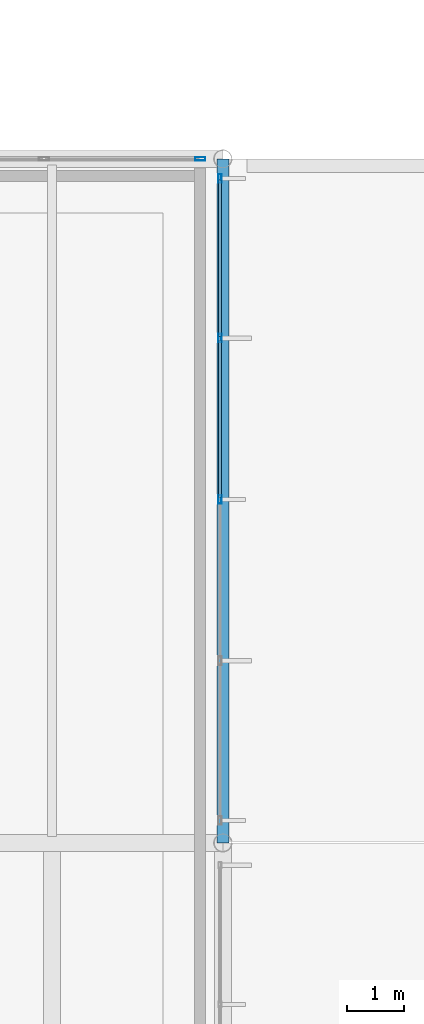
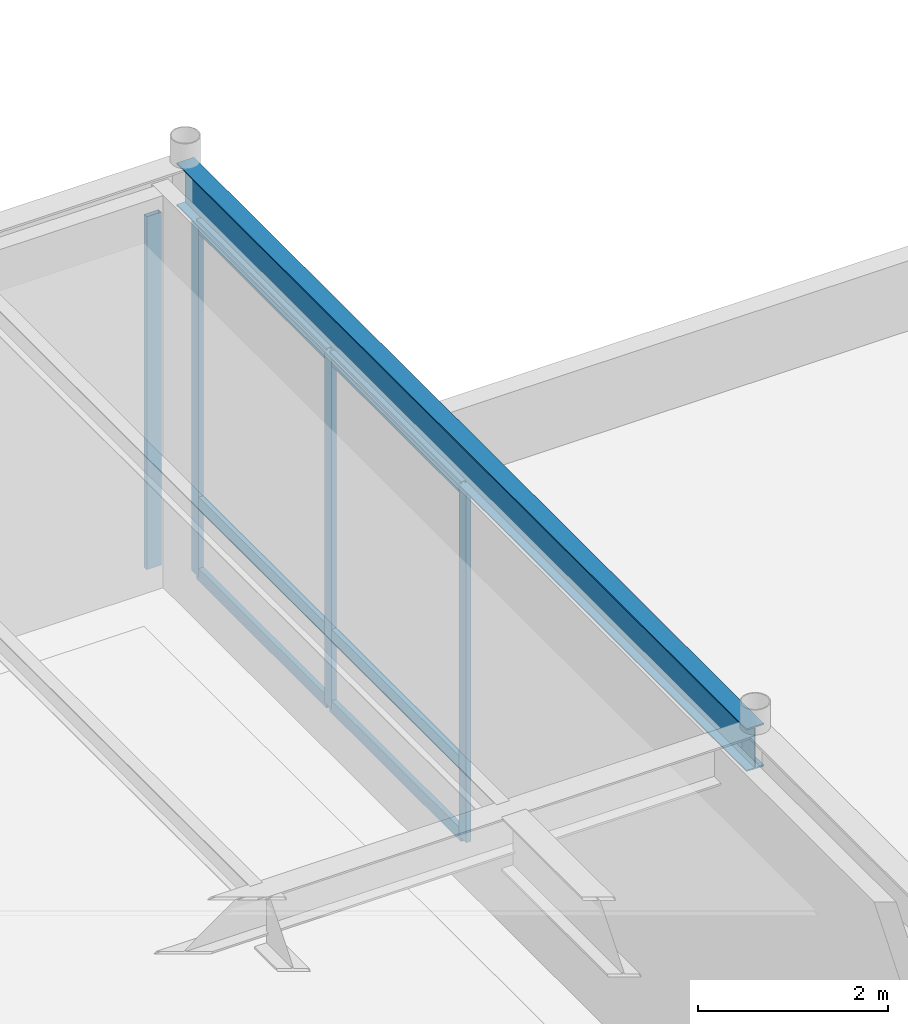
# One storey, part 89 of 143: 10 members, 1 beam, 2 elements without a shape of their own.
"""IFC4 building model written with IfcOpenShell, lengths in metres."""

from ifc_helpers import new_model, si_unit, direction, frame, origin, origin_2d, place, context, subcontext, project, spatial, hollow_rectangle, i_section, extrude, material, layer, layer_set, material_profile, profile_set, type_object, element, aggregate, save


model = new_model("IFC4")

# Units and contexts
model_context = context("Model", 3, precision=1e-05, world=origin(), true_north=direction((0.0, 1.0)))
body_context = subcontext(model_context, "Body", "Model", "MODEL_VIEW")
ifc_project = project(units=[si_unit("LENGTHUNIT", "METRE"), si_unit("AREAUNIT", "SQUARE_METRE"), si_unit("VOLUMEUNIT", "CUBIC_METRE"), si_unit("PLANEANGLEUNIT", "RADIAN"), si_unit("MASSUNIT", "GRAM", prefix="KILO")], contexts=[model_context])

# Site, building, storey
site_placement = place(None, origin())
site = spatial("IfcSite", under=ifc_project, at=site_placement, CompositionType="ELEMENT")
building_placement = place(site_placement, origin())
building = spatial("IfcBuilding", under=site, at=building_placement, Name="Montelvaro Courts of Justice", CompositionType="ELEMENT")
storey_placement = place(building_placement, origin())
storey = spatial("IfcBuildingStorey", under=building, at=storey_placement, Name="L00", CompositionType="ELEMENT", Elevation=0.0)

# Beam
ifc_material_1 = material(Name="Steel S355", Category="steel")
ifc_material_profile_1 = material_profile(ifc_material_1, i_section(OverallWidth=0.2099609375, OverallDepth=0.550048828125, WebThickness=0.010986328125, FlangeThickness=0.01708984375, at=origin_2d()), Name="IPE 550")
ifc_profile_set_1 = profile_set([ifc_material_profile_1], Name="Steel S355")
beam_type = type_object("IfcBeamType", Name="Beam_IPE550", PredefinedType="BEAM", material=ifc_profile_set_1)
beam_placement = place(storey_placement, frame((81.0, 96.0, 4.804931640625), z_axis=(0.0, 1.0, 0.0), x_axis=(-1.0, 0.0, 0.0)))
element("IfcBeam", 1, at=beam_placement, inside=storey, type_object=beam_type, Name="Beam B-11 L00", PredefinedType="BEAM", context=body_context, shape_type="SweptSolid", body=[
    extrude(i_section(OverallWidth=0.2099609375, OverallDepth=0.550048828125, WebThickness=0.010986328125, FlangeThickness=0.01708984375, at=origin_2d()), origin(), (0.0, 0.0, 1.0), 12.0),
])

# Curtain wall, members
ifc_material_2 = material(Name="Anodised aluminium EN AW-6063", Category="aluminium")
ifc_layer_1 = layer(ifc_material_2, 0.159912109375)
ifc_layer_set_1 = layer_set([ifc_layer_1], Name="Anodised aluminium EN AW-6063")
curtain_wall_type_1 = type_object("IfcCurtainWallType", Name="CurtainWall_03_1132x508", PredefinedType="USERDEFINED", material=ifc_layer_set_1)
curtain_wall_1_placement = place(storey_placement, origin())
curtain_wall_1 = element("IfcCurtainWall", 2, at=curtain_wall_1_placement, inside=storey, type_object=curtain_wall_type_1, Name="Curtain Wall CW-03 (L00)", ObjectType="CURTAIN WALL", PredefinedType="USERDEFINED")
ifc_material_profile_2 = material_profile(ifc_material_2, hollow_rectangle(XDim=0.06005859375, YDim=0.14990234375, WallThickness=0.00390625, at=origin_2d()), Name="ALU-M 60x150")
ifc_profile_set_2 = profile_set([ifc_material_profile_2], Name="Anodised aluminium EN AW-6063")
member_type_1 = type_object("IfcMemberType", Name="CurtainWall_Mullion_60x150", PredefinedType="MULLION", material=ifc_profile_set_2)
member_1_placement = place(storey_placement, frame((80.949951171875, 102.02490234375, 0.0), z_axis=(0.0, 0.0, 1.0), x_axis=(-1.0, 0.0, 0.0)))
member_1 = element("IfcMember", 3, at=member_1_placement, type_object=member_type_1, Name="CW-03 mullion 3", PredefinedType="MULLION", context=body_context, shape_type="SweptSolid", body=[
    extrude(hollow_rectangle(XDim=0.06005859375, YDim=0.14990234375, WallThickness=0.00390625, at=origin_2d()), origin(), (0.0, 0.0, 1.0), 4.52490234375),
])
member_2_placement = place(storey_placement, frame((80.949951171875, 104.85498046875, 0.0), z_axis=(0.0, 0.0, 1.0), x_axis=(-1.0, 0.0, 0.0)))
member_2 = element("IfcMember", 4, at=member_2_placement, type_object=member_type_1, Name="CW-03 mullion 4", PredefinedType="MULLION", context=body_context, shape_type="SweptSolid", body=[
    extrude(hollow_rectangle(XDim=0.06005859375, YDim=0.14990234375, WallThickness=0.00390625, at=origin_2d()), origin(), (0.0, 0.0, 1.0), 4.52490234375),
])
member_3_placement = place(storey_placement, frame((80.949951171875, 107.655029296875, 0.0), z_axis=(0.0, 0.0, 1.0), x_axis=(-1.0, 0.0, 0.0)))
member_3 = element("IfcMember", 5, at=member_3_placement, type_object=member_type_1, Name="CW-03 mullion 5", PredefinedType="MULLION", context=body_context, shape_type="SweptSolid", body=[
    extrude(hollow_rectangle(XDim=0.06005859375, YDim=0.14990234375, WallThickness=0.00390625, at=origin_2d()), origin(), (0.0, 0.0, 1.0), 4.52490234375),
])

# Curtain wall, member
ifc_layer_2 = layer(ifc_material_2, 0.159912109375)
ifc_layer_set_2 = layer_set([ifc_layer_2], Name="Anodised aluminium EN AW-6063")
curtain_wall_type_2 = type_object("IfcCurtainWallType", Name="CurtainWall_04_832x508", PredefinedType="USERDEFINED", material=ifc_layer_set_2)
curtain_wall_2_placement = place(storey_placement, origin())
curtain_wall_2 = element("IfcCurtainWall", 6, at=curtain_wall_2_placement, inside=storey, type_object=curtain_wall_type_2, Name="Curtain Wall CW-04 (L00)", ObjectType="CURTAIN WALL", PredefinedType="USERDEFINED")
ifc_material_profile_3 = material_profile(ifc_material_2, hollow_rectangle(XDim=0.06005859375, YDim=0.179931640625, WallThickness=0.00439453125, at=origin_2d()), Name="ALU-M 60x180")
ifc_profile_set_3 = profile_set([ifc_material_profile_3], Name="Anodised aluminium EN AW-6063")
member_type_2 = type_object("IfcMemberType", Name="CurtainWall_Mullion_60x180", PredefinedType="MULLION", material=ifc_profile_set_3)
member_4_placement = place(storey_placement, frame((80.60498046875, 108.0, 0.0), z_axis=(0.0, 0.0, 1.0), x_axis=(0.0, -1.0, 0.0)))
member_4 = element("IfcMember", 7, at=member_4_placement, type_object=member_type_2, Name="CW-04 mullion 1", PredefinedType="MULLION", context=body_context, shape_type="SweptSolid", body=[
    extrude(hollow_rectangle(XDim=0.06005859375, YDim=0.179931640625, WallThickness=0.00439453125, at=origin_2d()), origin(), (0.0, 0.0, 1.0), 4.534912109375),
])
aggregate(curtain_wall_2, [member_4])

# Member
ifc_material_profile_4 = material_profile(ifc_material_2, hollow_rectangle(XDim=0.06005859375, YDim=0.159912109375, WallThickness=0.00439453125, at=origin_2d()), Name="ALU-T 60x160")
ifc_profile_set_4 = profile_set([ifc_material_profile_4], Name="Anodised aluminium EN AW-6063")
member_type_3 = type_object("IfcMemberType", Name="CurtainWall_Transom_60x160", PredefinedType="USERDEFINED", material=ifc_profile_set_4)
member_5_placement = place(storey_placement, frame((80.949951171875, 102.054931640625, 0.030029296875), z_axis=(0.0, 1.0, 0.0), x_axis=(-1.0, 0.0, 0.0)))
member_5 = element("IfcMember", 8, at=member_5_placement, type_object=member_type_3, Name="CW-03 transom 3.1", ObjectType="TRANSOM", PredefinedType="USERDEFINED", context=body_context, shape_type="SweptSolid", body=[
    extrude(hollow_rectangle(XDim=0.06005859375, YDim=0.159912109375, WallThickness=0.00439453125, at=origin_2d()), origin(), (0.0, 0.0, 1.0), 2.77001953125),
])

member_6_placement = place(storey_placement, frame((80.949951171875, 102.054931640625, 0.949951171875), z_axis=(0.0, 1.0, 0.0), x_axis=(-1.0, 0.0, 0.0)))
member_6 = element("IfcMember", 9, at=member_6_placement, type_object=member_type_3, Name="CW-03 transom 3.2", ObjectType="TRANSOM", PredefinedType="USERDEFINED", context=body_context, shape_type="SweptSolid", body=[
    extrude(hollow_rectangle(XDim=0.06005859375, YDim=0.159912109375, WallThickness=0.00439453125, at=origin_2d()), origin(), (0.0, 0.0, 1.0), 2.77001953125),
])

member_7_placement = place(storey_placement, frame((80.949951171875, 102.054931640625, 4.4951171875), z_axis=(0.0, 1.0, 0.0), x_axis=(-1.0, 0.0, 0.0)))
member_7 = element("IfcMember", 10, at=member_7_placement, type_object=member_type_3, Name="CW-03 transom 3.3", ObjectType="TRANSOM", PredefinedType="USERDEFINED", context=body_context, shape_type="SweptSolid", body=[
    extrude(hollow_rectangle(XDim=0.06005859375, YDim=0.159912109375, WallThickness=0.00439453125, at=origin_2d()), origin(), (0.0, 0.0, 1.0), 2.77001953125),
])

member_8_placement = place(storey_placement, frame((80.949951171875, 104.885009765625, 0.030029296875), z_axis=(0.0, 1.0, 0.0), x_axis=(-1.0, 0.0, 0.0)))
member_8 = element("IfcMember", 11, at=member_8_placement, type_object=member_type_3, Name="CW-03 transom 4.1", ObjectType="TRANSOM", PredefinedType="USERDEFINED", context=body_context, shape_type="SweptSolid", body=[
    extrude(hollow_rectangle(XDim=0.06005859375, YDim=0.159912109375, WallThickness=0.00439453125, at=origin_2d()), origin(), (0.0, 0.0, 1.0), 2.739990234375),
])

member_9_placement = place(storey_placement, frame((80.949951171875, 104.885009765625, 0.949951171875), z_axis=(0.0, 1.0, 0.0), x_axis=(-1.0, 0.0, 0.0)))
member_9 = element("IfcMember", 12, at=member_9_placement, type_object=member_type_3, Name="CW-03 transom 4.2", ObjectType="TRANSOM", PredefinedType="USERDEFINED", context=body_context, shape_type="SweptSolid", body=[
    extrude(hollow_rectangle(XDim=0.06005859375, YDim=0.159912109375, WallThickness=0.00439453125, at=origin_2d()), origin(), (0.0, 0.0, 1.0), 2.739990234375),
])

member_10_placement = place(storey_placement, frame((80.949951171875, 104.885009765625, 4.4951171875), z_axis=(0.0, 1.0, 0.0), x_axis=(-1.0, 0.0, 0.0)))
member_10 = element("IfcMember", 13, at=member_10_placement, type_object=member_type_3, Name="CW-03 transom 4.3", ObjectType="TRANSOM", PredefinedType="USERDEFINED", context=body_context, shape_type="SweptSolid", body=[
    extrude(hollow_rectangle(XDim=0.06005859375, YDim=0.159912109375, WallThickness=0.00439453125, at=origin_2d()), origin(), (0.0, 0.0, 1.0), 2.739990234375),
])

aggregate(curtain_wall_1, [member_1, member_2, member_3, member_5, member_6, member_7, member_8, member_9, member_10])

save(model, "model.ifc")
